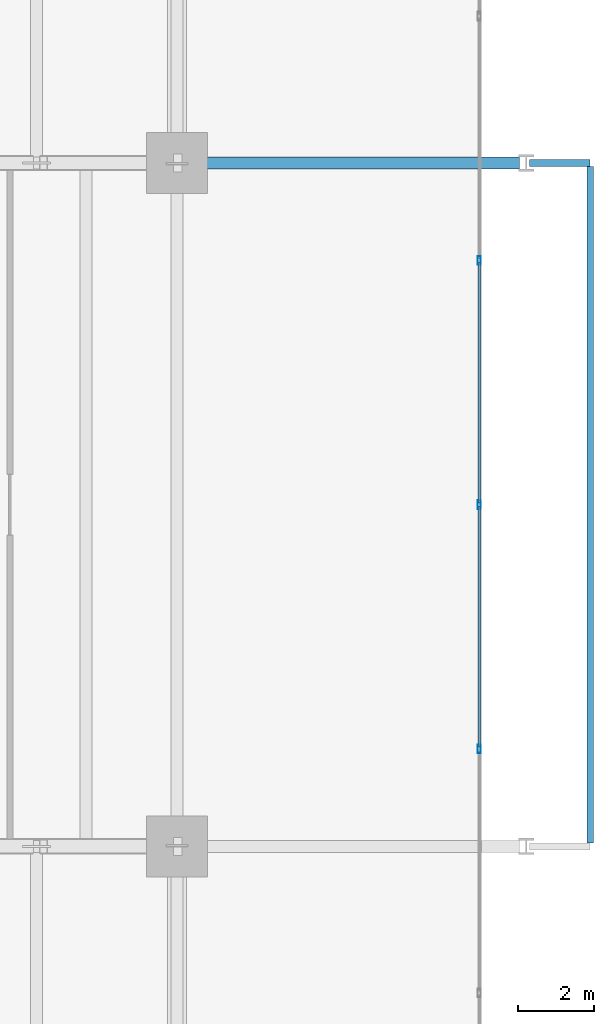
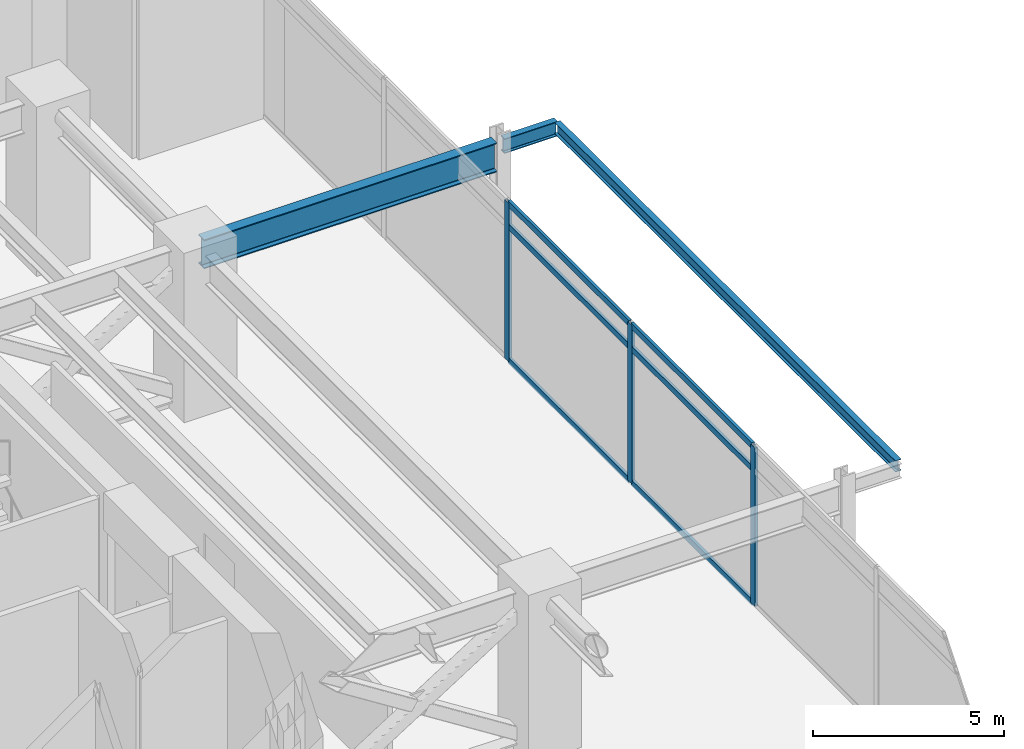
# One storey, part 13 of 26: 9 members, 3 beams, 1 element without a shape of its own.
"""IFC4 building model written with IfcOpenShell, lengths in metres."""

from ifc_helpers import new_model, si_unit, direction, frame, origin, origin_2d, place, context, subcontext, project, spatial, hollow_rectangle, i_section, extrude, material, material_profile, profile_set, type_object, element, aggregate, save


model = new_model("IFC4")

# Units and contexts
model_context = context("Model", 3, precision=1e-05, world=origin(), true_north=direction((0.0, 1.0)))
body_context = subcontext(model_context, "Body", "Model", "MODEL_VIEW")
ifc_project = project(units=[si_unit("LENGTHUNIT", "METRE"), si_unit("AREAUNIT", "SQUARE_METRE"), si_unit("VOLUMEUNIT", "CUBIC_METRE"), si_unit("PLANEANGLEUNIT", "RADIAN"), si_unit("MASSUNIT", "GRAM", prefix="KILO")], contexts=[model_context])

# Site, building, storey
site_placement = place(None, origin())
site = spatial("IfcSite", under=ifc_project, at=site_placement, CompositionType="ELEMENT")
building_placement = place(site_placement, origin())
building = spatial("IfcBuilding", under=site, at=building_placement, Name="Kovane Verandah Tower", CompositionType="ELEMENT")
storey_placement = place(building_placement, frame((0.0, 0.0, 113.0)))
storey = spatial("IfcBuildingStorey", under=building, at=storey_placement, Name="L26", CompositionType="ELEMENT", Elevation=113.0)

# Beam
ifc_material_1 = material(Name="Steel S460", Category="steel")
ifc_material_profile_1 = material_profile(ifc_material_1, i_section(OverallWidth=0.3076171875, OverallDepth=0.926513671875, WebThickness=0.01953125, FlangeThickness=0.031982421875, FilletRadius=0.01904296875, at=origin_2d()), Name="UB914x305x289")
ifc_profile_set_1 = profile_set([ifc_material_profile_1], Name="Steel S460")
beam_type_1 = type_object("IfcBeamType", Name="BM-UB914x289", PredefinedType="BEAM", material=ifc_profile_set_1)
beam_1_placement = place(storey_placement, frame((58.580078125, 36.5, 4.63671875), z_axis=(1.0, 0.0, 0.0), x_axis=(0.0, 1.0, 0.0)))
element("IfcBeam", 1, at=beam_1_placement, inside=storey, type_object=beam_type_1, Name="L26 Primary Tower Girder G-VE2", PredefinedType="BEAM", context=body_context, shape_type="SweptSolid", body=[
    extrude(i_section(OverallWidth=0.3076171875, OverallDepth=0.926513671875, WebThickness=0.01953125, FlangeThickness=0.031982421875, FilletRadius=0.01904296875, at=origin_2d()), origin(), (0.0, 0.0, 1.0), 8.83984375),
])

# Curtain wall, members
ifc_material_2 = material(Name="Champagne Anodised Aluminium Frame with Low-E Clear Laminated Glass", Category="aluminium")
curtain_wall_type = type_object("IfcCurtainWallType", Name="CW-SYS-02-LOW", PredefinedType="NOTDEFINED", material=ifc_material_2)
curtain_wall_placement = place(storey_placement, origin())
curtain_wall = element("IfcCurtainWall", 2, at=curtain_wall_placement, inside=storey, type_object=curtain_wall_type, Name="L26 E Unitised Curtain Wall", PredefinedType="NOTDEFINED")
ifc_material_3 = material(Name="Champagne Anodised Aluminium 6063-T6", Category="aluminium")
ifc_material_profile_2 = material_profile(ifc_material_3, hollow_rectangle(XDim=0.0849609375, YDim=0.22998046875, WallThickness=0.00390625, at=origin_2d()), Name="AL85x230x4")
ifc_profile_set_2 = profile_set([ifc_material_profile_2], Name="Champagne Anodised Aluminium 6063-T6")
member_type_1 = type_object("IfcMemberType", Name="CW-MUL-85x230", PredefinedType="MULLION", material=ifc_profile_set_2)
member_1_placement = place(storey_placement, frame((66.364013671875, 21.068359375, 0.02001953125), z_axis=(0.0, 0.0, 1.0), x_axis=(1.0, 0.0, 0.0)))
member_1 = element("IfcMember", 3, at=member_1_placement, type_object=member_type_1, Name="L26 E Unitised Curtain Wall Mullion 3", PredefinedType="MULLION", context=body_context, shape_type="SweptSolid", body=[
    extrude(hollow_rectangle(XDim=0.0849609375, YDim=0.22998046875, WallThickness=0.00390625, at=origin_2d()), origin(), (0.0, 0.0, 1.0), 5.06005859375),
])
member_2_placement = place(storey_placement, frame((66.364013671875, 27.5, 0.02001953125), z_axis=(0.0, 0.0, 1.0), x_axis=(1.0, 0.0, 0.0)))
member_2 = element("IfcMember", 4, at=member_2_placement, type_object=member_type_1, Name="L26 E Unitised Curtain Wall Mullion 4", PredefinedType="MULLION", context=body_context, shape_type="SweptSolid", body=[
    extrude(hollow_rectangle(XDim=0.0849609375, YDim=0.22998046875, WallThickness=0.00390625, at=origin_2d()), origin(), (0.0, 0.0, 1.0), 5.06005859375),
])
member_3_placement = place(storey_placement, frame((66.364013671875, 33.931640625, 0.02001953125), z_axis=(0.0, 0.0, 1.0), x_axis=(1.0, 0.0, 0.0)))
member_3 = element("IfcMember", 5, at=member_3_placement, type_object=member_type_1, Name="L26 E Unitised Curtain Wall Mullion 5", PredefinedType="MULLION", context=body_context, shape_type="SweptSolid", body=[
    extrude(hollow_rectangle(XDim=0.0849609375, YDim=0.22998046875, WallThickness=0.00390625, at=origin_2d()), origin(), (0.0, 0.0, 1.0), 5.06005859375),
])
ifc_material_profile_3 = material_profile(ifc_material_3, hollow_rectangle(XDim=0.0849609375, YDim=0.18994140625, WallThickness=0.00390625, at=origin_2d()), Name="AL85x190x4")
ifc_profile_set_3 = profile_set([ifc_material_profile_3], Name="Champagne Anodised Aluminium 6063-T6")
member_type_2 = type_object("IfcMemberType", Name="CW-TRN-85x190", PredefinedType="USERDEFINED", material=ifc_profile_set_3)
member_4_placement = place(storey_placement, frame((66.364013671875, 21.118408203125, 0.050048828125), z_axis=(0.0, 1.0, 0.0), x_axis=(-1.0, 0.0, 0.0)))
member_4 = element("IfcMember", 6, at=member_4_placement, type_object=member_type_2, Name="L26 E Unitised Curtain Wall Transom TB Bay 3", ObjectType="TRANSOM", PredefinedType="USERDEFINED", context=body_context, shape_type="SweptSolid", body=[
    extrude(hollow_rectangle(XDim=0.0849609375, YDim=0.18994140625, WallThickness=0.00390625, at=origin_2d()), origin(), (0.0, 0.0, 1.0), 6.33154296875),
])
member_5_placement = place(storey_placement, frame((66.364013671875, 21.118408203125, 4.320068359375), z_axis=(0.0, 1.0, 0.0), x_axis=(-1.0, 0.0, 0.0)))
member_5 = element("IfcMember", 7, at=member_5_placement, type_object=member_type_2, Name="L26 E Unitised Curtain Wall Transom TM Bay 3", ObjectType="TRANSOM", PredefinedType="USERDEFINED", context=body_context, shape_type="SweptSolid", body=[
    extrude(hollow_rectangle(XDim=0.0849609375, YDim=0.18994140625, WallThickness=0.00390625, at=origin_2d()), origin(), (0.0, 0.0, 1.0), 6.33154296875),
])
member_6_placement = place(storey_placement, frame((66.364013671875, 21.118408203125, 5.050048828125), z_axis=(0.0, 1.0, 0.0), x_axis=(-1.0, 0.0, 0.0)))
member_6 = element("IfcMember", 8, at=member_6_placement, type_object=member_type_2, Name="L26 E Unitised Curtain Wall Transom TT Bay 3", ObjectType="TRANSOM", PredefinedType="USERDEFINED", context=body_context, shape_type="SweptSolid", body=[
    extrude(hollow_rectangle(XDim=0.0849609375, YDim=0.18994140625, WallThickness=0.00390625, at=origin_2d()), origin(), (0.0, 0.0, 1.0), 6.33154296875),
])
member_7_placement = place(storey_placement, frame((66.364013671875, 27.550048828125, 0.050048828125), z_axis=(0.0, 1.0, 0.0), x_axis=(-1.0, 0.0, 0.0)))
member_7 = element("IfcMember", 9, at=member_7_placement, type_object=member_type_2, Name="L26 E Unitised Curtain Wall Transom TB Bay 4", ObjectType="TRANSOM", PredefinedType="USERDEFINED", context=body_context, shape_type="SweptSolid", body=[
    extrude(hollow_rectangle(XDim=0.0849609375, YDim=0.18994140625, WallThickness=0.00390625, at=origin_2d()), origin(), (0.0, 0.0, 1.0), 6.33154296875),
])
member_8_placement = place(storey_placement, frame((66.364013671875, 27.550048828125, 4.320068359375), z_axis=(0.0, 1.0, 0.0), x_axis=(-1.0, 0.0, 0.0)))
member_8 = element("IfcMember", 10, at=member_8_placement, type_object=member_type_2, Name="L26 E Unitised Curtain Wall Transom TM Bay 4", ObjectType="TRANSOM", PredefinedType="USERDEFINED", context=body_context, shape_type="SweptSolid", body=[
    extrude(hollow_rectangle(XDim=0.0849609375, YDim=0.18994140625, WallThickness=0.00390625, at=origin_2d()), origin(), (0.0, 0.0, 1.0), 6.33154296875),
])
member_9_placement = place(storey_placement, frame((66.364013671875, 27.550048828125, 5.050048828125), z_axis=(0.0, 1.0, 0.0), x_axis=(-1.0, 0.0, 0.0)))
member_9 = element("IfcMember", 11, at=member_9_placement, type_object=member_type_2, Name="L26 E Unitised Curtain Wall Transom TT Bay 4", ObjectType="TRANSOM", PredefinedType="USERDEFINED", context=body_context, shape_type="SweptSolid", body=[
    extrude(hollow_rectangle(XDim=0.0849609375, YDim=0.18994140625, WallThickness=0.00390625, at=origin_2d()), origin(), (0.0, 0.0, 1.0), 6.33154296875),
])
aggregate(curtain_wall, [member_1, member_2, member_3, member_4, member_5, member_6, member_7, member_8, member_9])

# Beams
ifc_material_4 = material(Name="Steel S355", Category="steel")
ifc_material_profile_4 = material_profile(ifc_material_4, i_section(OverallWidth=0.19287109375, OverallDepth=0.46728515625, WebThickness=0.011474609375, FlangeThickness=0.01953125, FilletRadius=0.01025390625, at=origin_2d()), Name="UB457x191x98")
ifc_profile_set_4 = profile_set([ifc_material_profile_4], Name="Steel S355")
beam_type_2 = type_object("IfcBeamType", Name="JST-UB457x98", PredefinedType="JOIST", material=ifc_profile_set_4)
beam_2_placement = place(storey_placement, frame((67.679931640625, 36.5, 4.866455078125), z_axis=(1.0, 0.0, 0.0), x_axis=(0.0, 1.0, 0.0)))
element("IfcBeam", 12, at=beam_2_placement, inside=storey, type_object=beam_type_2, Name="L26 East Planter Girder 2", PredefinedType="JOIST", context=body_context, shape_type="SweptSolid", body=[
    extrude(i_section(OverallWidth=0.19287109375, OverallDepth=0.46728515625, WebThickness=0.011474609375, FlangeThickness=0.01953125, FilletRadius=0.01025390625, at=origin_2d()), origin(), (0.0, 0.0, 1.0), 1.599853515625),
])
ifc_material_profile_5 = material_profile(ifc_material_4, i_section(OverallWidth=0.173095703125, OverallDepth=0.36328125, WebThickness=0.009033203125, FlangeThickness=0.015625, FilletRadius=0.01025390625, at=origin_2d()), Name="UB356x171x67")
ifc_profile_set_5 = profile_set([ifc_material_profile_5], Name="Steel S355")
beam_type_3 = type_object("IfcBeamType", Name="SPD-UB356x67", PredefinedType="USERDEFINED", material=ifc_profile_set_5)
beam_3_placement = place(storey_placement, frame((69.27978515625, 18.594482421875, 4.918212890625), z_axis=(0.0, 1.0, 0.0), x_axis=(-1.0, 0.0, 0.0)))
element("IfcBeam", 13, at=beam_3_placement, inside=storey, type_object=beam_type_3, Name="L26 East Planter Edge Spandrel", ObjectType="SPANDREL", PredefinedType="USERDEFINED", context=body_context, shape_type="SweptSolid", body=[
    extrude(i_section(OverallWidth=0.173095703125, OverallDepth=0.36328125, WebThickness=0.009033203125, FlangeThickness=0.015625, FilletRadius=0.01025390625, at=origin_2d()), origin(), (0.0, 0.0, 1.0), 17.81103515625),
])

save(model, "model.ifc")
